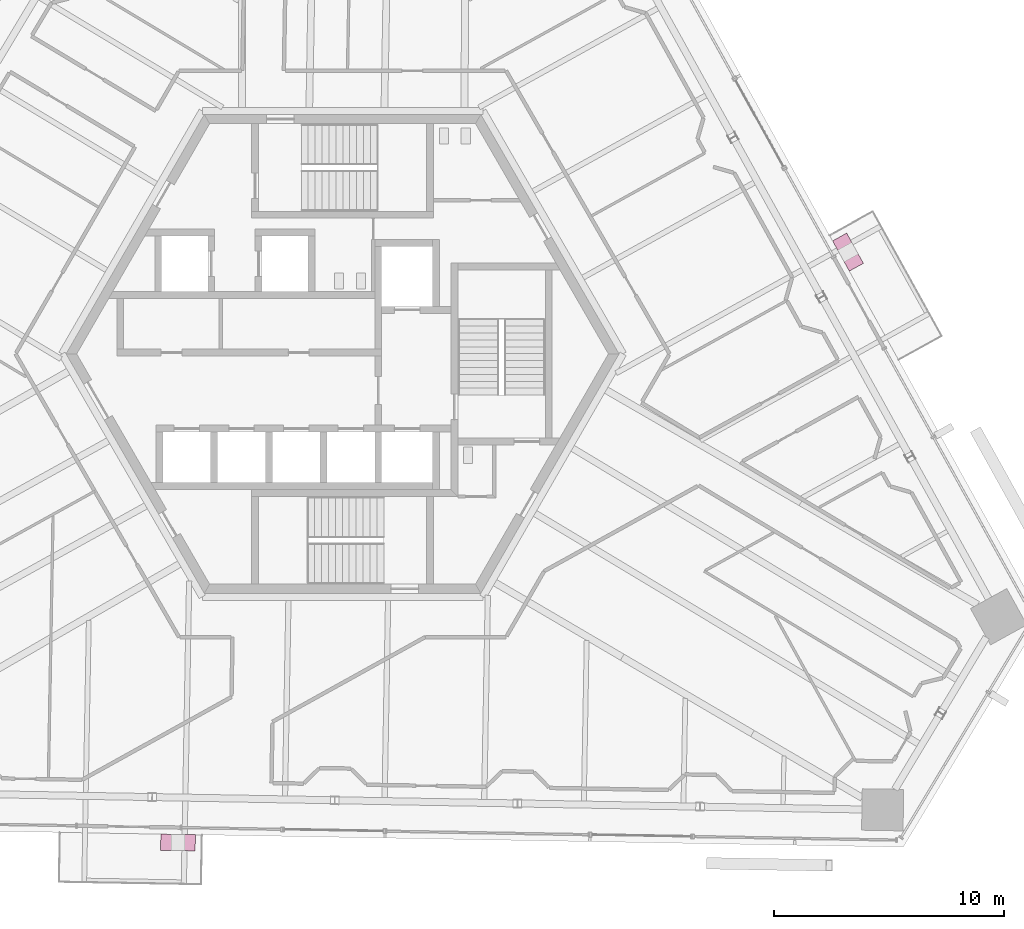
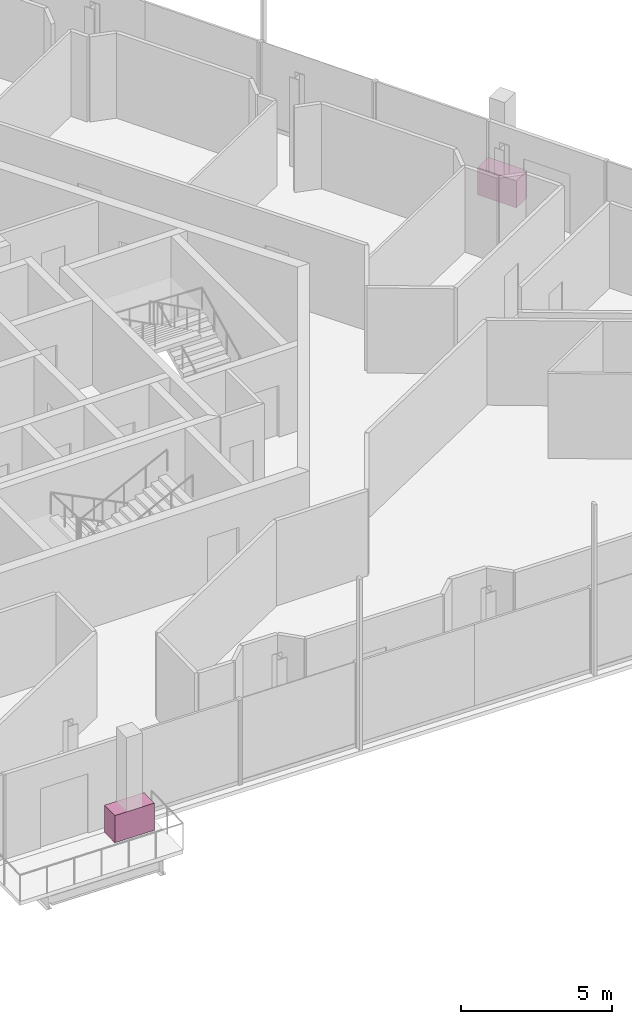
# One storey, part 21 of 22: 2 furniture elements.
"""IFC4 building model written with IfcOpenShell, lengths in metres."""

from ifc_helpers import new_model, si_unit, direction, frame, origin, origin_2d, place, context, subcontext, project, spatial, rectangle, extrude, source, transform, mapped, material, type_object, element, save


model = new_model("IFC4")

# Units and contexts
model_context = context("Model", 3, precision=1e-05, world=origin(), true_north=direction((0.0, 1.0)))
body_context = subcontext(model_context, "Body", "Model", "MODEL_VIEW")
ifc_project = project(units=[si_unit("LENGTHUNIT", "METRE"), si_unit("AREAUNIT", "SQUARE_METRE"), si_unit("VOLUMEUNIT", "CUBIC_METRE"), si_unit("PLANEANGLEUNIT", "RADIAN"), si_unit("MASSUNIT", "GRAM", prefix="KILO")], contexts=[model_context])

# Site, building, storey
site_placement = place(None, origin())
site = spatial("IfcSite", under=ifc_project, at=site_placement, CompositionType="ELEMENT")
building_placement = place(site_placement, origin())
building = spatial("IfcBuilding", under=site, at=building_placement, Name="Triune Harvest Tower", CompositionType="ELEMENT")
storey_placement = place(building_placement, frame((0.0, 0.0, 208.699951171875)))
storey = spatial("IfcBuildingStorey", under=building, at=storey_placement, Name="L54", CompositionType="ELEMENT", Elevation=208.699951171875)

# Furniture
ifc_material = material(Name="Concrete 40 MPa", Category="concrete")
furniture_type = type_object("IfcFurnitureType", Name="PB-1 structural planter", AssemblyPlace="SITE", PredefinedType="USERDEFINED", material=ifc_material)
shared_shape = source(origin(), body_context, "Body", "SweptSolid", [
    extrude(rectangle(XDim=1.5, YDim=0.699951171875, at=origin_2d()), origin(), (0.0, 0.0, 1.0), 1.10009765625),
])
for number, where, z_axis, x_axis, name in (
    (1, (21.935791015625, 4.417236328125, 0.0), (0.0, 0.0, 1.0), (-0.48480848305, 0.874620337497, 0.0), "Planter B5-F1 L54.4b"),
    (2, (-7.142333984375, -21.205810546875, 0.0), (0.0, 0.0, 1.0), (0.999847708228, -0.017451657526, 0.0), "Planter B5-F5 L54.4b"),
):
    element("IfcFurniture", number, at=place(storey_placement, frame(where, z_axis=z_axis, x_axis=x_axis)), inside=storey, type_object=furniture_type, Name=name, ObjectType="PLANTER", PredefinedType="USERDEFINED", context=body_context, shape_type="MappedRepresentation", body=[
        mapped(shared_shape, transform((0.0, 0.0, 0.0), scale=1.0)),
    ])

save(model, "model.ifc")
